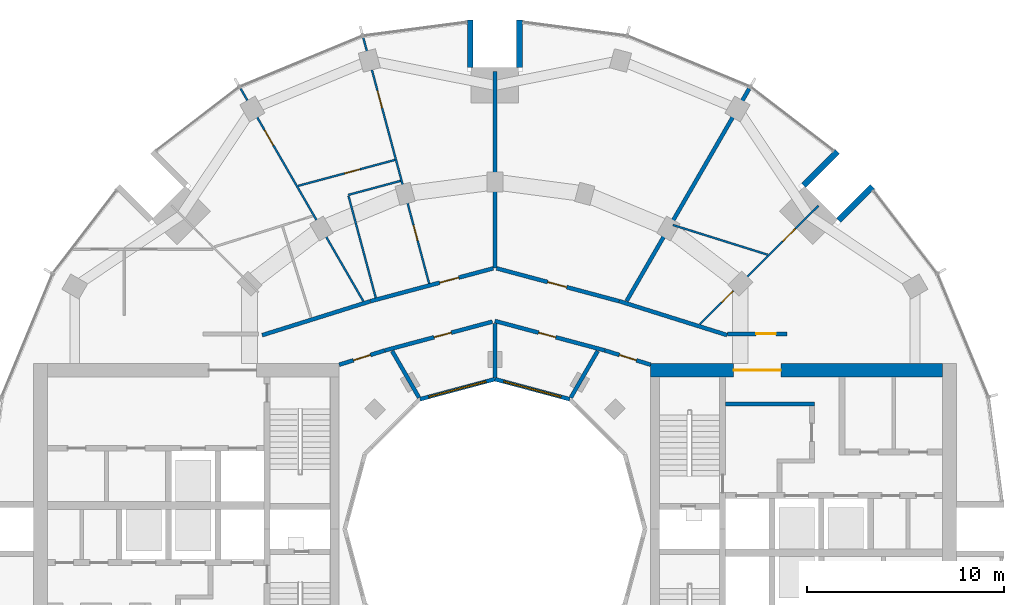
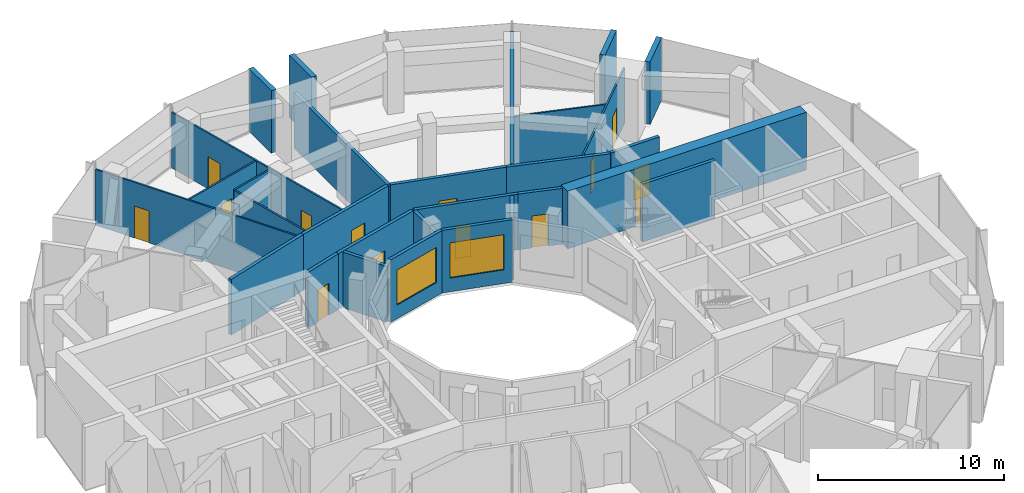
# One storey, part 12 of 15: 29 walls, 14 doors, 2 windows, 16 openings.
"""IFC4 building model written with IfcOpenShell, lengths in metres."""

from ifc_helpers import new_model, si_unit, direction, frame, frame_2d, origin, place, context, subcontext, project, spatial, rectangle, extrude, material, layer, layer_set, type_object, element, fill, save


model = new_model("IFC4")

# Units and contexts
model_context = context("Model", 3, precision=1e-05, world=origin(), true_north=direction((0.0, 1.0)))
body_context = subcontext(model_context, "Body", "Model", "MODEL_VIEW")
ifc_project = project(units=[si_unit("LENGTHUNIT", "METRE"), si_unit("AREAUNIT", "SQUARE_METRE"), si_unit("VOLUMEUNIT", "CUBIC_METRE"), si_unit("PLANEANGLEUNIT", "RADIAN"), si_unit("MASSUNIT", "GRAM", prefix="KILO")], contexts=[model_context])

# Site, building, storey
site_placement = place(None, origin())
site = spatial("IfcSite", under=ifc_project, at=site_placement, CompositionType="ELEMENT")
building_placement = place(site_placement, origin())
building = spatial("IfcBuilding", under=site, at=building_placement, Name="Torre Brocal", CompositionType="ELEMENT")
storey_placement = place(building_placement, frame((0.0, 0.0, 165.89990234375)))
storey = spatial("IfcBuildingStorey", under=building, at=storey_placement, Name="L38", CompositionType="ELEMENT", Elevation=165.89990234375)

# Wall
ifc_material_1 = material(Name="Concrete C70", Category="concrete")
ifc_layer_1 = layer(ifc_material_1, 0.199951171875)
ifc_layer_set_1 = layer_set([ifc_layer_1], Name="Concrete C70")
wall_type_1 = type_object("IfcWallType", Name="CORE WALL 200 C70", PredefinedType="SHEAR", material=ifc_layer_set_1)
wall_1_placement = place(storey_placement, frame((91.699951171875, 81.35009765625, 0.0), z_axis=(0.0, 0.0, 1.0), x_axis=(1.0, 0.0, 0.0)))
element("IfcWall", 1, at=wall_1_placement, inside=storey, type_object=wall_type_1, Name="Wall CW200-70", PredefinedType="SHEAR", context=body_context, shape_type="SweptSolid", body=[
    extrude(rectangle(XDim=4.5, YDim=0.199951171875, at=frame_2d((2.25, 0.0))), origin(), (0.0, 0.0, 1.0), 3.780029296875),
])

# Wall, opening, door
ifc_material_2 = material(Name="Concrete C70", Category="concrete")
ifc_layer_2 = layer(ifc_material_2, 0.699951171875)
ifc_layer_set_2 = layer_set([ifc_layer_2], Name="Concrete C70")
wall_type_2 = type_object("IfcWallType", Name="CORE WALL 700 C70", PredefinedType="SHEAR", material=ifc_layer_set_2)
wall_2_placement = place(storey_placement, frame((87.89990234375, 83.050048828125, 0.0), z_axis=(0.0, 0.0, 1.0), x_axis=(1.0, 0.0, 0.0)))
wall_2 = element("IfcWall", 2, at=wall_2_placement, inside=storey, type_object=wall_type_2, Name="Wall CW700-70", PredefinedType="SHEAR", context=body_context, shape_type="SweptSolid", body=[
    extrude(rectangle(XDim=14.800048828125, YDim=0.699951171875, at=frame_2d((7.39990234375, 0.0))), origin(), (0.0, 0.0, 1.0), 3.780029296875),
])
opening_1_placement = place(wall_2_placement, frame((4.199951171875, 0.0, 0.0)))
opening_1 = element("IfcOpeningElement", 3, at=opening_1_placement, cuts=wall_2, Name="Opening E-D34", PredefinedType="OPENING", context=body_context, shape_type="SweptSolid", body=[
    extrude(rectangle(XDim=2.39990234375, YDim=2.39990234375, at=frame_2d((1.199951171875, 1.199951171875))), frame((0.0, 0.35986328125, 0.0), z_axis=(0.0, -1.0, 0.0), x_axis=(1.0, 0.0, 0.0)), (0.0, 0.0, 1.0), 0.719970703125),
])
ifc_material_3 = material(Name="Steel A653", Category="steel")
door_type_1 = type_object("IfcDoorType", Name="DOUBLE FIRE DOOR FD90 2400X2400", OperationType="DOUBLE_DOOR_SINGLE_SWING", PredefinedType="DOOR", material=ifc_material_3)
door_1_placement = place(opening_1_placement, frame((2.39990234375, 0.0, 0.0), z_axis=(0.0, 0.0, 1.0), x_axis=(-1.0, 0.0, 0.0)))
door_1 = element("IfcDoor", 4, at=door_1_placement, inside=storey, type_object=door_type_1, Name="Door E-D34", OperationType="DOUBLE_DOOR_SINGLE_SWING", OverallHeight=2.39990234375, OverallWidth=2.39990234375, PredefinedType="DOOR", context=body_context, shape_type="SweptSolid", body=[
    extrude(rectangle(XDim=2.39990234375, YDim=2.39990234375, at=frame_2d((1.199951171875, 1.199951171875))), frame((0.0, 0.02490234375, 0.0), z_axis=(0.0, -1.0, 0.0), x_axis=(1.0, 0.0, 0.0)), (0.0, 0.0, 1.0), 0.050048828125),
])
fill(opening_1, door_1)

# Walls
ifc_material_4 = material(Name="Concrete C70", Category="concrete")
ifc_layer_3 = layer(ifc_material_4, 0.300048828125)
ifc_layer_set_3 = layer_set([ifc_layer_3], Name="Concrete C70")
wall_type_3 = type_object("IfcWallType", Name="NOTCH RETURN WALL 300 C70", PredefinedType="NOTDEFINED", material=ifc_layer_set_3)
for number, where, z_axis, x_axis, name in (
    (5, (97.43017578125, 90.662353515625, 0.0), (0.0, 0.0, 1.0), (0.707106781187, 0.707106781187, 0.0), "NOTCH RETURN WALL"),
    (6, (95.662353515625, 92.43017578125, 0.0), (0.0, 0.0, 1.0), (0.707106781187, 0.707106781187, 0.0), "NOTCH RETURN WALL"),
    (7, (81.25, 98.39990234375, 0.0), (0.0, 0.0, 1.0), (0.0, 1.0, 0.0), "NOTCH RETURN WALL"),
    (8, (78.75, 98.39990234375, 0.0), (0.0, 0.0, 1.0), (0.0, 1.0, 0.0), "NOTCH RETURN WALL"),
):
    element("IfcWall", number, at=place(storey_placement, frame(where, z_axis=z_axis, x_axis=x_axis)), inside=storey, type_object=wall_type_3, Name=name, PredefinedType="NOTDEFINED", context=body_context, shape_type="SweptSolid", body=[
        extrude(rectangle(XDim=2.415771484375, YDim=0.300048828125, at=frame_2d((1.2080078125, 0.0))), origin(), (0.0, 0.0, 1.0), 4.10009765625),
    ])

# Wall, opening, door
ifc_material_5 = material(Name="Gypsum board", Category="Gypsum")
ifc_layer_4 = layer(ifc_material_5, 0.10009765625)
ifc_layer_set_4 = layer_set([ifc_layer_4], Name="Gypsum board")
wall_type_4 = type_object("IfcWallType", Name="PARTITION 100", PredefinedType="PARTITIONING", material=ifc_layer_set_4)
wall_3_placement = place(storey_placement, frame((67.101318359375, 97.341552734375, 0.0), z_axis=(0.0, 0.0, 1.0), x_axis=(0.499929451451, -0.866066131177, 0.0)))
wall_3 = element("IfcWall", 9, at=wall_3_placement, inside=storey, type_object=wall_type_4, Name="BATHROOM WALL", PredefinedType="PARTITIONING", context=body_context, shape_type="SweptSolid", body=[
    extrude(rectangle(XDim=12.455810546875, YDim=0.10009765625, at=frame_2d((6.22802734375, 0.0))), origin(), (0.0, 0.0, 1.0), 3.650146484375),
])
opening_2_placement = place(wall_3_placement, frame((2.434326171875, 0.0, 0.0)))
opening_2 = element("IfcOpeningElement", 10, at=opening_2_placement, cuts=wall_3, Name="Opening R01-D09", PredefinedType="OPENING", context=body_context, shape_type="SweptSolid", body=[
    extrude(rectangle(XDim=0.89990234375, YDim=2.10009765625, at=frame_2d((0.449951171875, 1.050048828125))), frame((0.0, 0.06005859375, 0.0), z_axis=(0.0, -1.0, 0.0), x_axis=(1.0, 0.0, 0.0)), (0.0, 0.0, 1.0), 0.1201171875),
])
ifc_material_6 = material(Name="Timber", Category="wood")
door_type_2 = type_object("IfcDoorType", Name="ROOM DOOR 900X2100", OperationType="SINGLE_SWING_LEFT", PredefinedType="DOOR", material=ifc_material_6)
door_2_placement = place(opening_2_placement, frame((0.89990234375, 0.0, 0.0), z_axis=(0.0, 0.0, 1.0), x_axis=(-1.0, 0.0, 0.0)))
door_2 = element("IfcDoor", 11, at=door_2_placement, inside=storey, type_object=door_type_2, Name="R01-D09", OperationType="SINGLE_SWING_RIGHT", OverallHeight=2.10009765625, OverallWidth=0.89990234375, PredefinedType="DOOR", context=body_context, shape_type="SweptSolid", body=[
    extrude(rectangle(XDim=0.89990234375, YDim=2.10009765625, at=frame_2d((0.449951171875, 1.050048828125))), frame((0.0, 0.02490234375, 0.0), z_axis=(0.0, -1.0, 0.0), x_axis=(1.0, 0.0, 0.0)), (0.0, 0.0, 1.0), 0.050048828125),
])
fill(opening_2, door_2)

wall_4_placement = place(storey_placement, frame((70.01904296875, 92.404541015625, 0.0), z_axis=(0.0, 0.0, 1.0), x_axis=(0.965982744428, 0.258606530209, 0.0)))
wall_4 = element("IfcWall", 12, at=wall_4_placement, inside=storey, type_object=wall_type_4, Name="BATHROOM WALL", PredefinedType="PARTITIONING", context=body_context, shape_type="SweptSolid", body=[
    extrude(rectangle(XDim=5.086669921875, YDim=0.10009765625, at=frame_2d((2.54345703125, 0.0))), origin(), (0.0, 0.0, 1.0), 3.650146484375),
])
opening_3_placement = place(wall_4_placement, frame((2.4384765625, 0.0, 0.0)))
opening_3 = element("IfcOpeningElement", 13, at=opening_3_placement, cuts=wall_4, Name="Opening R01-D07", PredefinedType="OPENING", context=body_context, shape_type="SweptSolid", body=[
    extrude(rectangle(XDim=0.800048828125, YDim=2.10009765625, at=frame_2d((0.39990234375, 1.050048828125))), frame((0.0, 0.06005859375, 0.0), z_axis=(0.0, -1.0, 0.0), x_axis=(1.0, 0.0, 0.0)), (0.0, 0.0, 1.0), 0.1201171875),
])
ifc_material_7 = material(Name="Timber", Category="wood")
door_type_3 = type_object("IfcDoorType", Name="BATHROOM DOOR 800X2100", OperationType="SINGLE_SWING_LEFT", PredefinedType="DOOR", material=ifc_material_7)
door_3_placement = place(opening_3_placement, frame((0.800048828125, 0.0, 0.0), z_axis=(0.0, 0.0, 1.0), x_axis=(-1.0, 0.0, 0.0)))
door_3 = element("IfcDoor", 14, at=door_3_placement, inside=storey, type_object=door_type_3, Name="R01-D07", OperationType="SINGLE_SWING_LEFT", OverallHeight=2.10009765625, OverallWidth=0.800048828125, PredefinedType="DOOR", context=body_context, shape_type="SweptSolid", body=[
    extrude(rectangle(XDim=0.800048828125, YDim=2.10009765625, at=frame_2d((0.39990234375, 1.050048828125))), frame((0.0, 0.02490234375, 0.0), z_axis=(0.0, -1.0, 0.0), x_axis=(1.0, 0.0, 0.0)), (0.0, 0.0, 1.0), 0.050048828125),
])
fill(opening_3, door_3)

# Walls
wall_5_placement = place(storey_placement, frame((72.574462890625, 91.897705078125, 0.0), z_axis=(0.0, 0.0, 1.0), x_axis=(0.258739127054, -0.965947236722, 0.0)))
element("IfcWall", 15, at=wall_5_placement, inside=storey, type_object=wall_type_4, Name="BATHROOM WALL", PredefinedType="PARTITIONING", context=body_context, shape_type="SweptSolid", body=[
    extrude(rectangle(XDim=5.34912109375, YDim=0.10009765625, at=frame_2d((2.674560546875, 0.0))), origin(), (0.0, 0.0, 1.0), 3.650146484375),
])
wall_6_placement = place(storey_placement, frame((72.56103515625, 91.946044921875, 0.0), z_axis=(0.0, 0.0, 1.0), x_axis=(0.96591000446, 0.258878085754, 0.0)))
element("IfcWall", 16, at=wall_6_placement, inside=storey, type_object=wall_type_4, Name="BATHROOM WALL", PredefinedType="PARTITIONING", context=body_context, shape_type="SweptSolid", body=[
    extrude(rectangle(XDim=2.75, YDim=0.10009765625, at=frame_2d((1.375, 0.0))), origin(), (0.0, 0.0, 1.0), 3.650146484375),
])

# Wall, openings, doors
wall_7_placement = place(storey_placement, frame((73.324462890625, 99.919677734375, 0.0), z_axis=(0.0, 0.0, 1.0), x_axis=(0.258710550884, -0.965954890697, 0.0)))
wall_7 = element("IfcWall", 17, at=wall_7_placement, inside=storey, type_object=wall_type_4, Name="BATHROOM WALL", PredefinedType="PARTITIONING", context=body_context, shape_type="SweptSolid", body=[
    extrude(rectangle(XDim=12.90380859375, YDim=0.10009765625, at=frame_2d((6.451904296875, 0.0))), origin(), (0.0, 0.0, 1.0), 3.650146484375),
])
opening_4_placement = place(wall_7_placement, frame((2.787109375, 0.0, 0.0)))
opening_4 = element("IfcOpeningElement", 18, at=opening_4_placement, cuts=wall_7, Name="Opening R01-D06", PredefinedType="OPENING", context=body_context, shape_type="SweptSolid", body=[
    extrude(rectangle(XDim=0.89990234375, YDim=2.10009765625, at=frame_2d((0.449951171875, 1.050048828125))), frame((0.0, 0.06005859375, 0.0), z_axis=(0.0, -1.0, 0.0), x_axis=(1.0, 0.0, 0.0)), (0.0, 0.0, 1.0), 0.1201171875),
])
opening_5_placement = place(wall_7_placement, frame((9.844482421875, 0.0, 0.0)))
opening_5 = element("IfcOpeningElement", 19, at=opening_5_placement, cuts=wall_7, Name="Opening R01-D08", PredefinedType="OPENING", context=body_context, shape_type="SweptSolid", body=[
    extrude(rectangle(XDim=0.800048828125, YDim=2.10009765625, at=frame_2d((0.39990234375, 1.050048828125))), frame((0.0, 0.06005859375, 0.0), z_axis=(0.0, -1.0, 0.0), x_axis=(1.0, 0.0, 0.0)), (0.0, 0.0, 1.0), 0.1201171875),
])
door_4_placement = place(opening_5_placement, frame((0.800048828125, 0.0, 0.0), z_axis=(0.0, 0.0, 1.0), x_axis=(-1.0, 0.0, 0.0)))
door_4 = element("IfcDoor", 20, at=door_4_placement, inside=storey, type_object=door_type_3, Name="R01-D08", OperationType="SINGLE_SWING_RIGHT", OverallHeight=2.10009765625, OverallWidth=0.800048828125, PredefinedType="DOOR", context=body_context, shape_type="SweptSolid", body=[
    extrude(rectangle(XDim=0.800048828125, YDim=2.10009765625, at=frame_2d((0.39990234375, 1.050048828125))), frame((0.0, 0.02490234375, 0.0), z_axis=(0.0, -1.0, 0.0), x_axis=(1.0, 0.0, 0.0)), (0.0, 0.0, 1.0), 0.050048828125),
])
fill(opening_5, door_4)
door_5_placement = place(opening_4_placement, frame((0.89990234375, 0.0, 0.0), z_axis=(0.0, 0.0, 1.0), x_axis=(-1.0, 0.0, 0.0)))
door_5 = element("IfcDoor", 21, at=door_5_placement, inside=storey, type_object=door_type_2, Name="R01-D06", OperationType="SINGLE_SWING_RIGHT", OverallHeight=2.10009765625, OverallWidth=0.89990234375, PredefinedType="DOOR", context=body_context, shape_type="SweptSolid", body=[
    extrude(rectangle(XDim=0.89990234375, YDim=2.10009765625, at=frame_2d((0.449951171875, 1.050048828125))), frame((0.0, 0.02490234375, 0.0), z_axis=(0.0, -1.0, 0.0), x_axis=(1.0, 0.0, 0.0)), (0.0, 0.0, 1.0), 0.050048828125),
])
fill(opening_4, door_5)

# Wall
wall_8_placement = place(storey_placement, frame((89.026123046875, 90.4189453125, 0.0), z_axis=(0.0, 0.0, 1.0), x_axis=(0.954207609901, -0.299145177475, 0.0)))
element("IfcWall", 22, at=wall_8_placement, inside=storey, type_object=wall_type_4, Name="BATHROOM WALL", PredefinedType="PARTITIONING", context=body_context, shape_type="SweptSolid", body=[
    extrude(rectangle(XDim=5.031494140625, YDim=0.10009765625, at=frame_2d((2.515625, 0.0))), origin(), (0.0, 0.0, 1.0), 3.650146484375),
])

# Wall, openings, doors
wall_9_placement = place(storey_placement, frame((90.396484375, 85.393310546875, 0.0), z_axis=(0.0, 0.0, 1.0), x_axis=(0.707236031471, 0.706977507273, 0.0)))
wall_9 = element("IfcWall", 23, at=wall_9_placement, inside=storey, type_object=wall_type_4, Name="BATHROOM WALL", PredefinedType="PARTITIONING", context=body_context, shape_type="SweptSolid", body=[
    extrude(rectangle(XDim=8.499267578125, YDim=0.10009765625, at=frame_2d((4.24951171875, 0.0))), origin(), (0.0, 0.0, 1.0), 3.650146484375),
])
opening_6_placement = place(wall_9_placement, frame((5.937255859375, 0.0, 0.0)))
opening_6 = element("IfcOpeningElement", 24, at=opening_6_placement, cuts=wall_9, Name="Opening R01-D02", PredefinedType="OPENING", context=body_context, shape_type="SweptSolid", body=[
    extrude(rectangle(XDim=0.89990234375, YDim=2.10009765625, at=frame_2d((0.449951171875, 1.050048828125))), frame((0.0, 0.06005859375, 0.0), z_axis=(0.0, -1.0, 0.0), x_axis=(1.0, 0.0, 0.0)), (0.0, 0.0, 1.0), 0.1201171875),
])
opening_7_placement = place(wall_9_placement, frame((1.56201171875, 0.0, 0.0)))
opening_7 = element("IfcOpeningElement", 25, at=opening_7_placement, cuts=wall_9, Name="Opening R01-D03", PredefinedType="OPENING", context=body_context, shape_type="SweptSolid", body=[
    extrude(rectangle(XDim=0.800048828125, YDim=2.10009765625, at=frame_2d((0.39990234375, 1.050048828125))), frame((0.0, 0.06005859375, 0.0), z_axis=(0.0, -1.0, 0.0), x_axis=(1.0, 0.0, 0.0)), (0.0, 0.0, 1.0), 0.1201171875),
])
door_6_placement = place(opening_7_placement, origin())
door_6 = element("IfcDoor", 26, at=door_6_placement, inside=storey, type_object=door_type_3, Name="R01-D03", OperationType="SINGLE_SWING_LEFT", OverallHeight=2.10009765625, OverallWidth=0.800048828125, PredefinedType="DOOR", context=body_context, shape_type="SweptSolid", body=[
    extrude(rectangle(XDim=0.800048828125, YDim=2.10009765625, at=frame_2d((0.39990234375, 1.050048828125))), frame((0.0, 0.02490234375, 0.0), z_axis=(0.0, -1.0, 0.0), x_axis=(1.0, 0.0, 0.0)), (0.0, 0.0, 1.0), 0.050048828125),
])
fill(opening_7, door_6)
door_7_placement = place(opening_6_placement, frame((0.89990234375, 0.0, 0.0), z_axis=(0.0, 0.0, 1.0), x_axis=(-1.0, 0.0, 0.0)))
door_7 = element("IfcDoor", 27, at=door_7_placement, inside=storey, type_object=door_type_2, Name="R01-D02", OperationType="SINGLE_SWING_RIGHT", OverallHeight=2.10009765625, OverallWidth=0.89990234375, PredefinedType="DOOR", context=body_context, shape_type="SweptSolid", body=[
    extrude(rectangle(XDim=0.89990234375, YDim=2.10009765625, at=frame_2d((0.449951171875, 1.050048828125))), frame((0.0, 0.02490234375, 0.0), z_axis=(0.0, -1.0, 0.0), x_axis=(1.0, 0.0, 0.0)), (0.0, 0.0, 1.0), 0.050048828125),
])
fill(opening_6, door_7)

# Wall
ifc_material_8 = material(Name="Gypsum board", Category="Gypsum")
ifc_layer_5 = layer(ifc_material_8, 0.199951171875)
ifc_layer_set_5 = layer_set([ifc_layer_5], Name="Gypsum board")
wall_type_5 = type_object("IfcWallType", Name="PARTITION 200 EI60", PredefinedType="PARTITIONING", material=ifc_layer_set_5)
wall_10_placement = place(storey_placement, frame((68.19970703125, 84.833984375, 0.0), z_axis=(0.0, 0.0, 1.0), x_axis=(0.954272398161, 0.298938438661, 0.0)))
element("IfcWall", 28, at=wall_10_placement, inside=storey, type_object=wall_type_5, Name="CORRIDOR WALL", PredefinedType="PARTITIONING", context=body_context, shape_type="SweptSolid", body=[
    extrude(rectangle(XDim=5.740478515625, YDim=0.199951171875, at=frame_2d((2.8701171875, 0.0))), origin(), (0.0, 0.0, 1.0), 3.650146484375),
])

# Wall, opening, door
wall_11_placement = place(storey_placement, frame((72.10009765625, 83.33203125, 0.0), z_axis=(0.0, 0.0, 1.0), x_axis=(0.954233106619, 0.299063836383, 0.0)))
wall_11 = element("IfcWall", 29, at=wall_11_placement, inside=storey, type_object=wall_type_5, Name="CORRIDOR WALL", PredefinedType="PARTITIONING", context=body_context, shape_type="SweptSolid", body=[
    extrude(rectangle(XDim=2.4140625, YDim=0.199951171875, at=frame_2d((1.20703125, 0.0))), origin(), (0.0, 0.0, 1.0), 3.650146484375),
])
opening_8_placement = place(wall_11_placement, frame((0.761962890625, 0.0, 0.0)))
opening_8 = element("IfcOpeningElement", 30, at=opening_8_placement, cuts=wall_11, Name="Opening R01-D18", PredefinedType="OPENING", context=body_context, shape_type="SweptSolid", body=[
    extrude(rectangle(XDim=0.89990234375, YDim=2.10009765625, at=frame_2d((0.449951171875, 1.050048828125))), frame((0.0, 0.10986328125, 0.0), z_axis=(0.0, -1.0, 0.0), x_axis=(1.0, 0.0, 0.0)), (0.0, 0.0, 1.0), 0.219970703125),
])
door_8_placement = place(opening_8_placement, frame((0.89990234375, 0.0, 0.0), z_axis=(0.0, 0.0, 1.0), x_axis=(-1.0, 0.0, 0.0)))
door_8 = element("IfcDoor", 31, at=door_8_placement, inside=storey, type_object=door_type_2, Name="R01-D18", OperationType="SINGLE_SWING_RIGHT", OverallHeight=2.10009765625, OverallWidth=0.89990234375, PredefinedType="DOOR", context=body_context, shape_type="SweptSolid", body=[
    extrude(rectangle(XDim=0.89990234375, YDim=2.10009765625, at=frame_2d((0.449951171875, 1.050048828125))), frame((0.0, 0.02490234375, 0.0), z_axis=(0.0, -1.0, 0.0), x_axis=(1.0, 0.0, 0.0)), (0.0, 0.0, 1.0), 0.050048828125),
])
fill(opening_8, door_8)

wall_12_placement = place(storey_placement, frame((73.68701171875, 86.554443359375, 0.0), z_axis=(0.0, 0.0, 1.0), x_axis=(0.965999420828, 0.258544230182, 0.0)))
wall_12 = element("IfcWall", 32, at=wall_12_placement, inside=storey, type_object=wall_type_5, Name="FLAT ENTRANCE WALL", PredefinedType="PARTITIONING", context=body_context, shape_type="SweptSolid", body=[
    extrude(rectangle(XDim=6.44580078125, YDim=0.199951171875, at=frame_2d((3.222900390625, 0.0))), origin(), (0.0, 0.0, 1.0), 3.650146484375),
])
opening_9_placement = place(wall_12_placement, frame((3.63818359375, 0.0, 0.0)))
opening_9 = element("IfcOpeningElement", 33, at=opening_9_placement, cuts=wall_12, Name="Opening R01-D05", PredefinedType="OPENING", context=body_context, shape_type="SweptSolid", body=[
    extrude(rectangle(XDim=1.0, YDim=2.10009765625, at=frame_2d((0.5, 1.050048828125))), frame((0.0, 0.10986328125, 0.0), z_axis=(0.0, -1.0, 0.0), x_axis=(1.0, 0.0, 0.0)), (0.0, 0.0, 1.0), 0.219970703125),
])
ifc_material_9 = material(Name="Timber", Category="wood")
door_type_4 = type_object("IfcDoorType", Name="FLAT ENTRY DOOR FD30S 1000X2100", OperationType="SINGLE_SWING_RIGHT", PredefinedType="DOOR", material=ifc_material_9)
door_9_placement = place(opening_9_placement, origin())
door_9 = element("IfcDoor", 34, at=door_9_placement, inside=storey, type_object=door_type_4, Name="R01-D05", OperationType="SINGLE_SWING_LEFT", OverallHeight=2.10009765625, OverallWidth=1.0, PredefinedType="DOOR", context=body_context, shape_type="SweptSolid", body=[
    extrude(rectangle(XDim=1.0, YDim=2.10009765625, at=frame_2d((0.5, 1.050048828125))), frame((0.0, 0.02490234375, 0.0), z_axis=(0.0, -1.0, 0.0), x_axis=(1.0, 0.0, 0.0)), (0.0, 0.0, 1.0), 0.050048828125),
])
fill(opening_9, door_9)

wall_13_placement = place(storey_placement, frame((74.4130859375, 84.056884765625, 0.0), z_axis=(0.0, 0.0, 1.0), x_axis=(0.965972135939, 0.258646153246, 0.0)))
wall_13 = element("IfcWall", 35, at=wall_13_placement, inside=storey, type_object=wall_type_5, Name="CORRIDOR WALL", PredefinedType="PARTITIONING", context=body_context, shape_type="SweptSolid", body=[
    extrude(rectangle(XDim=5.654052734375, YDim=0.199951171875, at=frame_2d((2.8271484375, 0.0))), origin(), (0.0, 0.0, 1.0), 3.650146484375),
])
opening_10_placement = place(wall_13_placement, frame((2.5927734375, 0.0, 0.0)))
opening_10 = element("IfcOpeningElement", 36, at=opening_10_placement, cuts=wall_13, Name="Opening R01-D17", PredefinedType="OPENING", context=body_context, shape_type="SweptSolid", body=[
    extrude(rectangle(XDim=0.89990234375, YDim=2.10009765625, at=frame_2d((0.449951171875, 1.050048828125))), frame((0.0, 0.10986328125, 0.0), z_axis=(0.0, -1.0, 0.0), x_axis=(1.0, 0.0, 0.0)), (0.0, 0.0, 1.0), 0.219970703125),
])
door_10_placement = place(opening_10_placement, frame((0.89990234375, 0.0, 0.0), z_axis=(0.0, 0.0, 1.0), x_axis=(-1.0, 0.0, 0.0)))
door_10 = element("IfcDoor", 37, at=door_10_placement, inside=storey, type_object=door_type_2, Name="R01-D17", OperationType="SINGLE_SWING_RIGHT", OverallHeight=2.10009765625, OverallWidth=0.89990234375, PredefinedType="DOOR", context=body_context, shape_type="SweptSolid", body=[
    extrude(rectangle(XDim=0.89990234375, YDim=2.10009765625, at=frame_2d((0.449951171875, 1.050048828125))), frame((0.0, 0.02490234375, 0.0), z_axis=(0.0, -1.0, 0.0), x_axis=(1.0, 0.0, 0.0)), (0.0, 0.0, 1.0), 0.050048828125),
])
fill(opening_10, door_10)

# Walls
wall_14_placement = place(storey_placement, frame((74.78955078125, 84.0283203125, 0.0), z_axis=(0.0, 0.0, 1.0), x_axis=(0.499905962189, -0.866079689733, 0.0)))
element("IfcWall", 38, at=wall_14_placement, inside=storey, type_object=wall_type_5, Name="PARTY PARTITION", PredefinedType="PARTITIONING", context=body_context, shape_type="SweptSolid", body=[
    extrude(rectangle(XDim=2.7255859375, YDim=0.199951171875, at=frame_2d((1.36279296875, 0.0))), origin(), (0.0, 0.0, 1.0), 3.650146484375),
])
wall_15_placement = place(storey_placement, frame((80.0, 82.698974609375, 0.0), z_axis=(0.0, 0.0, 1.0), x_axis=(0.0, 1.0, 0.0)))
element("IfcWall", 39, at=wall_15_placement, inside=storey, type_object=wall_type_5, Name="SERVICE ROOM WALL", PredefinedType="PARTITIONING", context=body_context, shape_type="SweptSolid", body=[
    extrude(rectangle(XDim=2.72509765625, YDim=0.199951171875, at=frame_2d((1.362548828125, 0.0))), origin(), (0.0, 0.0, 1.0), 3.650146484375),
])

# Wall, opening, door
wall_16_placement = place(storey_placement, frame((80.0, 85.553955078125, 0.0), z_axis=(0.0, 0.0, 1.0), x_axis=(0.965928989968, -0.258807237802, 0.0)))
wall_16 = element("IfcWall", 40, at=wall_16_placement, inside=storey, type_object=wall_type_5, Name="CORRIDOR WALL", PredefinedType="PARTITIONING", context=body_context, shape_type="SweptSolid", body=[
    extrude(rectangle(XDim=5.774169921875, YDim=0.199951171875, at=frame_2d((2.88720703125, 0.0))), origin(), (0.0, 0.0, 1.0), 3.650146484375),
])
opening_11_placement = place(wall_16_placement, frame((2.29150390625, 0.0, 0.0)))
opening_11 = element("IfcOpeningElement", 41, at=opening_11_placement, cuts=wall_16, Name="Opening R01-D16", PredefinedType="OPENING", context=body_context, shape_type="SweptSolid", body=[
    extrude(rectangle(XDim=0.89990234375, YDim=2.10009765625, at=frame_2d((0.449951171875, 1.050048828125))), frame((0.0, 0.10986328125, 0.0), z_axis=(0.0, -1.0, 0.0), x_axis=(1.0, 0.0, 0.0)), (0.0, 0.0, 1.0), 0.219970703125),
])
door_11_placement = place(opening_11_placement, frame((0.89990234375, 0.0, 0.0), z_axis=(0.0, 0.0, 1.0), x_axis=(-1.0, 0.0, 0.0)))
door_11 = element("IfcDoor", 42, at=door_11_placement, inside=storey, type_object=door_type_2, Name="R01-D16", OperationType="SINGLE_SWING_LEFT", OverallHeight=2.10009765625, OverallWidth=0.89990234375, PredefinedType="DOOR", context=body_context, shape_type="SweptSolid", body=[
    extrude(rectangle(XDim=0.89990234375, YDim=2.10009765625, at=frame_2d((0.449951171875, 1.050048828125))), frame((0.0, 0.02490234375, 0.0), z_axis=(0.0, -1.0, 0.0), x_axis=(1.0, 0.0, 0.0)), (0.0, 0.0, 1.0), 0.050048828125),
])
fill(opening_11, door_11)

wall_17_placement = place(storey_placement, frame((80.0869140625, 88.222900390625, 0.0), z_axis=(0.0, 0.0, 1.0), x_axis=(0.965852330757, -0.25909317855, 0.0)))
wall_17 = element("IfcWall", 43, at=wall_17_placement, inside=storey, type_object=wall_type_5, Name="FLAT ENTRANCE WALL", PredefinedType="PARTITIONING", context=body_context, shape_type="SweptSolid", body=[
    extrude(rectangle(XDim=6.435791015625, YDim=0.199951171875, at=frame_2d((3.2177734375, 0.0))), origin(), (0.0, 0.0, 1.0), 3.650146484375),
])
opening_12_placement = place(wall_17_placement, frame((2.677978515625, 0.0, 0.0)))
opening_12 = element("IfcOpeningElement", 44, at=opening_12_placement, cuts=wall_17, Name="Opening R01-D04", PredefinedType="OPENING", context=body_context, shape_type="SweptSolid", body=[
    extrude(rectangle(XDim=1.0, YDim=2.10009765625, at=frame_2d((0.5, 1.050048828125))), frame((0.0, 0.10986328125, 0.0), z_axis=(0.0, -1.0, 0.0), x_axis=(1.0, 0.0, 0.0)), (0.0, 0.0, 1.0), 0.219970703125),
])
door_12_placement = place(opening_12_placement, origin())
door_12 = element("IfcDoor", 45, at=door_12_placement, inside=storey, type_object=door_type_4, Name="R01-D04", OperationType="SINGLE_SWING_LEFT", OverallHeight=2.10009765625, OverallWidth=1.0, PredefinedType="DOOR", context=body_context, shape_type="SweptSolid", body=[
    extrude(rectangle(XDim=1.0, YDim=2.10009765625, at=frame_2d((0.5, 1.050048828125))), frame((0.0, 0.02490234375, 0.0), z_axis=(0.0, -1.0, 0.0), x_axis=(1.0, 0.0, 0.0)), (0.0, 0.0, 1.0), 0.050048828125),
])
fill(opening_12, door_12)

# Walls
wall_18_placement = place(storey_placement, frame((80.0, 88.2470703125, 0.0), z_axis=(0.0, 0.0, 1.0), x_axis=(0.0, 1.0, 0.0)))
element("IfcWall", 46, at=wall_18_placement, inside=storey, type_object=wall_type_5, Name="PARTY PARTITION", PredefinedType="PARTITIONING", context=body_context, shape_type="SweptSolid", body=[
    extrude(rectangle(XDim=9.951904296875, YDim=0.199951171875, at=frame_2d((4.97607421875, 0.0))), origin(), (0.0, 0.0, 1.0), 3.650146484375),
])
wall_19_placement = place(storey_placement, frame((83.848388671875, 81.66748046875, 0.0), z_axis=(0.0, 0.0, 1.0), x_axis=(0.500185068774, 0.865918527909, 0.0)))
element("IfcWall", 47, at=wall_19_placement, inside=storey, type_object=wall_type_5, Name="SERVICE ROOM WALL", PredefinedType="PARTITIONING", context=body_context, shape_type="SweptSolid", body=[
    extrude(rectangle(XDim=2.7255859375, YDim=0.199951171875, at=frame_2d((1.36279296875, 0.0))), origin(), (0.0, 0.0, 1.0), 3.650146484375),
])

# Wall, opening, door
wall_20_placement = place(storey_placement, frame((85.5869140625, 84.056884765625, 0.0), z_axis=(0.0, 0.0, 1.0), x_axis=(0.954239513179, -0.299043393987, 0.0)))
wall_20 = element("IfcWall", 48, at=wall_20_placement, inside=storey, type_object=wall_type_5, Name="CORRIDOR WALL", PredefinedType="PARTITIONING", context=body_context, shape_type="SweptSolid", body=[
    extrude(rectangle(XDim=2.423828125, YDim=0.199951171875, at=frame_2d((1.2119140625, 0.0))), origin(), (0.0, 0.0, 1.0), 3.650146484375),
])
opening_13_placement = place(wall_20_placement, frame((0.761962890625, 0.0, 0.0)))
opening_13 = element("IfcOpeningElement", 49, at=opening_13_placement, cuts=wall_20, Name="Opening R01-D15", PredefinedType="OPENING", context=body_context, shape_type="SweptSolid", body=[
    extrude(rectangle(XDim=0.89990234375, YDim=2.10009765625, at=frame_2d((0.449951171875, 1.050048828125))), frame((0.0, 0.10986328125, 0.0), z_axis=(0.0, -1.0, 0.0), x_axis=(1.0, 0.0, 0.0)), (0.0, 0.0, 1.0), 0.219970703125),
])
door_13_placement = place(opening_13_placement, frame((0.89990234375, 0.0, 0.0), z_axis=(0.0, 0.0, 1.0), x_axis=(-1.0, 0.0, 0.0)))
door_13 = element("IfcDoor", 50, at=door_13_placement, inside=storey, type_object=door_type_2, Name="R01-D15", OperationType="SINGLE_SWING_LEFT", OverallHeight=2.10009765625, OverallWidth=0.89990234375, PredefinedType="DOOR", context=body_context, shape_type="SweptSolid", body=[
    extrude(rectangle(XDim=0.89990234375, YDim=2.10009765625, at=frame_2d((0.449951171875, 1.050048828125))), frame((0.0, 0.02490234375, 0.0), z_axis=(0.0, -1.0, 0.0), x_axis=(1.0, 0.0, 0.0)), (0.0, 0.0, 1.0), 0.050048828125),
])
fill(opening_13, door_13)

# Walls
wall_21_placement = place(storey_placement, frame((86.313232421875, 86.554931640625, 0.0), z_axis=(0.0, 0.0, 1.0), x_axis=(0.953919398959, -0.300062960544, 0.0)))
element("IfcWall", 51, at=wall_21_placement, inside=storey, type_object=wall_type_5, Name="FLAT ENTRANCE WALL", PredefinedType="PARTITIONING", context=body_context, shape_type="SweptSolid", body=[
    extrude(rectangle(XDim=5.720703125, YDim=0.199951171875, at=frame_2d((2.8603515625, 0.0))), origin(), (0.0, 0.0, 1.0), 3.650146484375),
])
wall_22_placement = place(storey_placement, frame((86.676513671875, 86.56396484375, 0.0), z_axis=(0.0, 0.0, 1.0), x_axis=(0.500120377296, 0.865955892764, 0.0)))
element("IfcWall", 52, at=wall_22_placement, inside=storey, type_object=wall_type_5, Name="BATHROOM WALL", PredefinedType="PARTITIONING", context=body_context, shape_type="SweptSolid", body=[
    extrude(rectangle(XDim=12.44482421875, YDim=0.199951171875, at=frame_2d((6.222412109375, 0.0))), origin(), (0.0, 0.0, 1.0), 3.650146484375),
])

# Wall, opening, door
wall_23_placement = place(storey_placement, frame((91.800048828125, 84.89990234375, 0.0), z_axis=(0.0, 0.0, 1.0), x_axis=(1.0, 0.0, 0.0)))
wall_23 = element("IfcWall", 53, at=wall_23_placement, inside=storey, type_object=wall_type_5, Name="FLAT ENTRANCE WALL", PredefinedType="PARTITIONING", context=body_context, shape_type="SweptSolid", body=[
    extrude(rectangle(XDim=3.0, YDim=0.199951171875, at=frame_2d((1.5, 0.0))), origin(), (0.0, 0.0, 1.0), 3.650146484375),
])
opening_14_placement = place(wall_23_placement, frame((1.449951171875, 0.0, 0.0)))
opening_14 = element("IfcOpeningElement", 54, at=opening_14_placement, cuts=wall_23, Name="Opening R01-D01", PredefinedType="OPENING", context=body_context, shape_type="SweptSolid", body=[
    extrude(rectangle(XDim=1.0, YDim=2.10009765625, at=frame_2d((0.5, 1.050048828125))), frame((0.0, 0.10986328125, 0.0), z_axis=(0.0, -1.0, 0.0), x_axis=(1.0, 0.0, 0.0)), (0.0, 0.0, 1.0), 0.219970703125),
])
door_14_placement = place(opening_14_placement, origin())
door_14 = element("IfcDoor", 55, at=door_14_placement, inside=storey, type_object=door_type_4, Name="R01-D01", OperationType="SINGLE_SWING_LEFT", OverallHeight=2.10009765625, OverallWidth=1.0, PredefinedType="DOOR", context=body_context, shape_type="SweptSolid", body=[
    extrude(rectangle(XDim=1.0, YDim=2.10009765625, at=frame_2d((0.5, 1.050048828125))), frame((0.0, 0.02490234375, 0.0), z_axis=(0.0, -1.0, 0.0), x_axis=(1.0, 0.0, 0.0)), (0.0, 0.0, 1.0), 0.050048828125),
])
fill(opening_14, door_14)

# Wall, opening, window
ifc_material_10 = material(Name="Concrete C40", Category="concrete")
ifc_layer_6 = layer(ifc_material_10, 0.199951171875)
ifc_layer_set_6 = layer_set([ifc_layer_6], Name="Concrete C40")
wall_type_6 = type_object("IfcWallType", Name="WELL FACADE WALL 200", PredefinedType="NOTDEFINED", material=ifc_layer_set_6)
wall_24_placement = place(storey_placement, frame((83.8017578125, 81.5849609375, 0.0), z_axis=(0.0, 0.0, 1.0), x_axis=(-0.965933654434, 0.258789828301, 0.0)))
wall_24 = element("IfcWall", 56, at=wall_24_placement, inside=storey, type_object=wall_type_6, Name="WELL FACADE WALL", PredefinedType="NOTDEFINED", context=body_context, shape_type="SweptSolid", body=[
    extrude(rectangle(XDim=3.935791015625, YDim=0.199951171875, at=frame_2d((1.9677734375, 0.0))), origin(), (0.0, 0.0, 1.0), 4.10009765625),
])
opening_15_placement = place(wall_24_placement, frame((0.468017578125, 0.0, 0.89990234375)))
opening_15 = element("IfcOpeningElement", 57, at=opening_15_placement, cuts=wall_24, Name="Opening W1", PredefinedType="OPENING", context=body_context, shape_type="SweptSolid", body=[
    extrude(rectangle(XDim=3.0, YDim=2.300048828125, at=frame_2d((1.5, 1.14990234375))), frame((0.0, 0.10986328125, 0.0), z_axis=(0.0, -1.0, 0.0), x_axis=(1.0, 0.0, 0.0)), (0.0, 0.0, 1.0), 0.219970703125),
])
ifc_material_11 = material(Name="Aluminium and glass", Category="aluminium")
window_type = type_object("IfcWindowType", Name="WELL WINDOW 3000X2300", PartitioningType="SINGLE_PANEL", PredefinedType="WINDOW", material=ifc_material_11)
window_1_placement = place(opening_15_placement, origin())
window_1 = element("IfcWindow", 58, at=window_1_placement, inside=storey, type_object=window_type, Name="WELL WINDOW 3000X2300", OverallHeight=2.300048828125, OverallWidth=3.0, PartitioningType="SINGLE_PANEL", PredefinedType="WINDOW", context=body_context, shape_type="SweptSolid", body=[
    extrude(rectangle(XDim=3.0, YDim=2.300048828125, at=frame_2d((1.5, 1.14990234375))), frame((0.0, 0.030029296875, 0.0), z_axis=(0.0, -1.0, 0.0), x_axis=(1.0, 0.0, 0.0)), (0.0, 0.0, 1.0), 0.06005859375),
])
fill(opening_15, window_1)

wall_25_placement = place(storey_placement, frame((80.0, 82.603515625, 0.0), z_axis=(0.0, 0.0, 1.0), x_axis=(-0.965933654434, -0.258789828301, 0.0)))
wall_25 = element("IfcWall", 59, at=wall_25_placement, inside=storey, type_object=wall_type_6, Name="WELL FACADE WALL", PredefinedType="NOTDEFINED", context=body_context, shape_type="SweptSolid", body=[
    extrude(rectangle(XDim=3.935791015625, YDim=0.199951171875, at=frame_2d((1.9677734375, 0.0))), origin(), (0.0, 0.0, 1.0), 4.10009765625),
])
opening_16_placement = place(wall_25_placement, frame((0.468017578125, 0.0, 0.89990234375)))
opening_16 = element("IfcOpeningElement", 60, at=opening_16_placement, cuts=wall_25, Name="Opening W1", PredefinedType="OPENING", context=body_context, shape_type="SweptSolid", body=[
    extrude(rectangle(XDim=3.0, YDim=2.300048828125, at=frame_2d((1.5, 1.14990234375))), frame((0.0, 0.10986328125, 0.0), z_axis=(0.0, -1.0, 0.0), x_axis=(1.0, 0.0, 0.0)), (0.0, 0.0, 1.0), 0.219970703125),
])
window_2_placement = place(opening_16_placement, origin())
window_2 = element("IfcWindow", 61, at=window_2_placement, inside=storey, type_object=window_type, Name="WELL WINDOW 3000X2300", OverallHeight=2.300048828125, OverallWidth=3.0, PartitioningType="SINGLE_PANEL", PredefinedType="WINDOW", context=body_context, shape_type="SweptSolid", body=[
    extrude(rectangle(XDim=3.0, YDim=2.300048828125, at=frame_2d((1.5, 1.14990234375))), frame((0.0, 0.030029296875, 0.0), z_axis=(0.0, -1.0, 0.0), x_axis=(1.0, 0.0, 0.0)), (0.0, 0.0, 1.0), 0.06005859375),
])
fill(opening_16, window_2)

save(model, "model.ifc")
